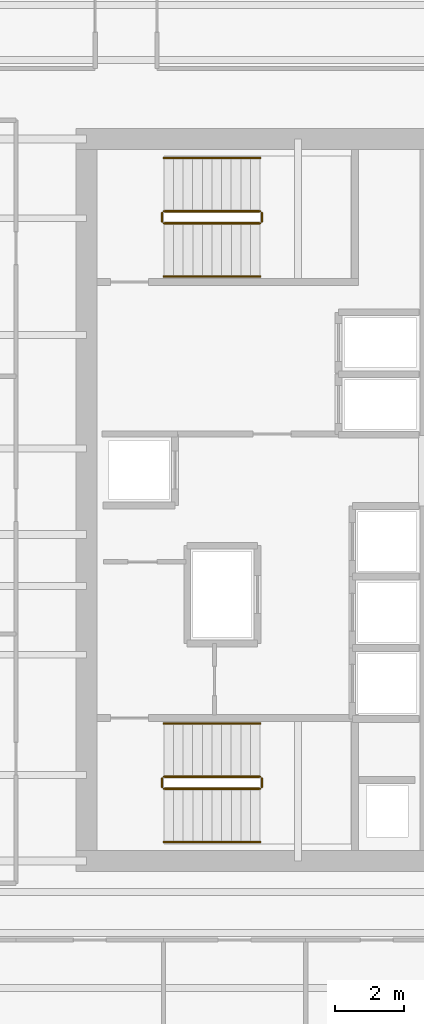
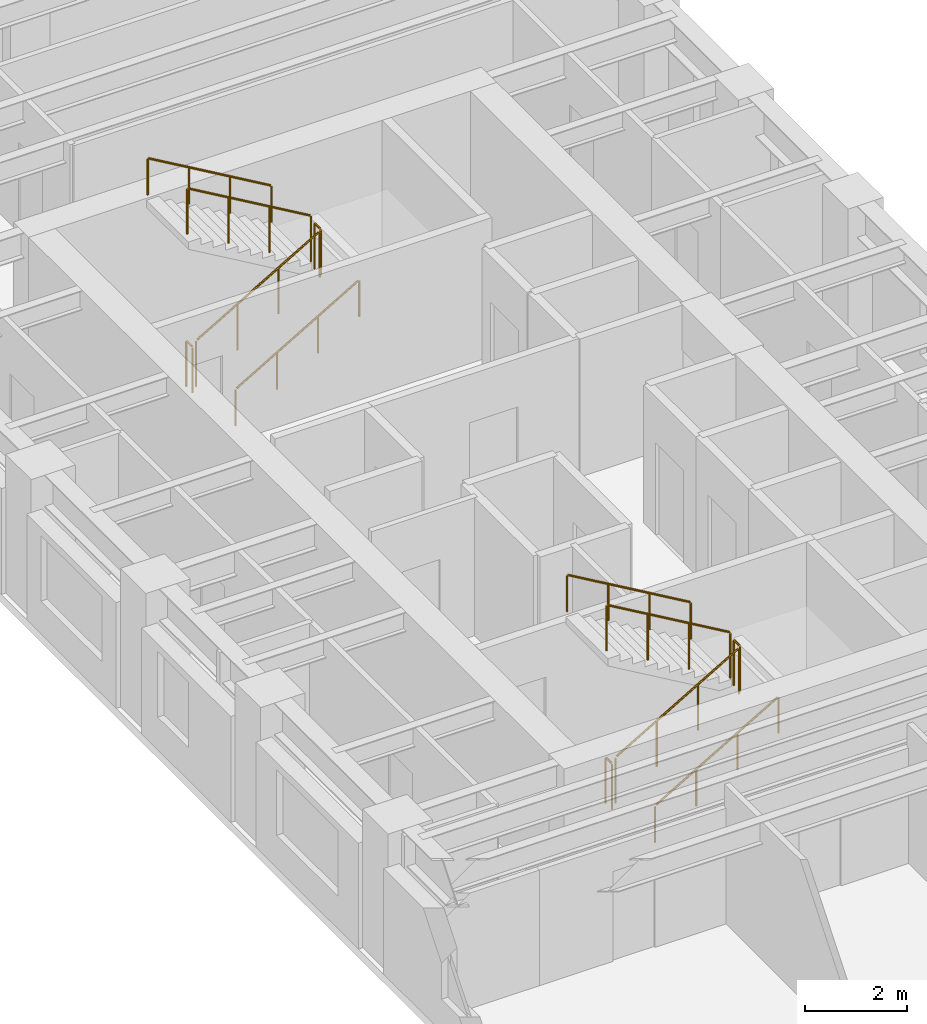
# One storey, part 11 of 12: 12 railings.
"""IFC4 building model written with IfcOpenShell, lengths in metres."""

from ifc_helpers import new_model, si_unit, direction, frame, origin, origin_2d, place, context, subcontext, project, spatial, circle, extrude, source, transform, mapped, material, layer, layer_set, type_object, element, save


model = new_model("IFC4")

# Units and contexts
model_context = context("Model", 3, precision=1e-05, world=origin(), true_north=direction((0.0, 1.0)))
body_context = subcontext(model_context, "Body", "Model", "MODEL_VIEW")
ifc_project = project(units=[si_unit("LENGTHUNIT", "METRE"), si_unit("AREAUNIT", "SQUARE_METRE"), si_unit("VOLUMEUNIT", "CUBIC_METRE"), si_unit("PLANEANGLEUNIT", "RADIAN"), si_unit("MASSUNIT", "GRAM", prefix="KILO")], contexts=[model_context])

# Site, building, storey
site_placement = place(None, origin())
site = spatial("IfcSite", under=ifc_project, at=site_placement, CompositionType="ELEMENT")
building_placement = place(site_placement, origin())
building = spatial("IfcBuilding", under=site, at=building_placement, Name="Kharzan Plaza Tower", CompositionType="ELEMENT")
storey_placement = place(building_placement, frame((0.0, 0.0, 204.300048828125)))
storey = spatial("IfcBuildingStorey", under=building, at=storey_placement, Name="L55", CompositionType="ELEMENT", Elevation=204.300048828125)

# Railings
ifc_material_1 = material(Name="Painted Galvanized Architectural Steel", Category="steel")
ifc_layer_1 = layer(ifc_material_1, 0.074951171875)
ifc_layer_set_1 = layer_set([ifc_layer_1], Name="Painted Galvanized Architectural Steel")
railing_type_1 = type_object("IfcRailingType", Name="RL-GUARD-1120", PredefinedType="BALUSTRADE", material=ifc_layer_set_1)
shared_shape_1 = source(origin(), body_context, "Body", "SweptSolid", [
    extrude(circle(Radius=0.02392578125, at=origin_2d()), frame((0.0, 0.0263671875, 1.09619140625), z_axis=(0.0, 1.0, 0.0), x_axis=(-1.0, 0.0, 0.0)), (0.0, 0.0, 1.0), 0.197021484375),
    extrude(circle(Radius=0.02099609375, at=origin_2d()), origin(), (0.0, 0.0, 1.0), 1.072021484375),
    extrude(circle(Radius=0.02099609375, at=origin_2d()), frame((0.0, 0.25, 0.0)), (0.0, 0.0, 1.0), 1.072021484375),
])
for number, where, name in (
    (1, (9.60009765625, 10.64990234375, 1.800048828125), "L55 ST-1 stair guard 2"),
    (2, (6.699951171875, 10.64990234375, 0.0), "L55 ST-1 stair guard 4"),
    (3, (9.60009765625, 27.10009765625, 1.800048828125), "L55 ST-2 stair guard 2"),
    (4, (6.699951171875, 27.10009765625, 0.0), "L55 ST-2 stair guard 4"),
):
    element("IfcRailing", number, at=place(storey_placement, frame(where)), inside=storey, type_object=railing_type_1, Name=name, PredefinedType="BALUSTRADE", context=body_context, shape_type="MappedRepresentation", body=[
        mapped(shared_shape_1, transform((0.0, 0.0, 0.0), x_axis=(1.0, 0.0, 0.0), y_axis=(0.0, 1.0, 0.0), z_axis=(0.0, 0.0, 1.0))),
    ])
shared_shape_2 = source(origin(), body_context, "Body", "SweptSolid", [
    extrude(circle(Radius=0.02392578125, at=origin_2d()), frame((0.02294921875, 0.0, 1.109375), z_axis=(0.863360870873, 0.0, 0.504586966384), x_axis=(0.0, 1.0, 0.0)), (0.0, 0.0, 1.0), 3.190185546875),
    extrude(circle(Radius=0.02099609375, at=origin_2d()), origin(), (0.0, 0.0, 1.0), 1.072021484375),
    extrude(circle(Radius=0.02099609375, at=origin_2d()), frame((0.933349609375, 0.0, 0.54541015625)), (0.0, 0.0, 1.0), 1.072021484375),
    extrude(circle(Radius=0.02099609375, at=origin_2d()), frame((1.86669921875, 0.0, 1.091064453125)), (0.0, 0.0, 1.0), 1.072021484375),
    extrude(circle(Radius=0.02099609375, at=origin_2d()), frame((2.800048828125, 0.0, 1.636474609375)), (0.0, 0.0, 1.0), 1.072021484375),
])
for number, where, name in (
    (5, (6.75, 10.60009765625, 0.16357421875), "L55 ST-1 stair guard 1"),
    (6, (6.75, 27.050048828125, 0.16357421875), "L55 ST-2 stair guard 1"),
):
    element("IfcRailing", number, at=place(storey_placement, frame(where)), inside=storey, type_object=railing_type_1, Name=name, PredefinedType="BALUSTRADE", context=body_context, shape_type="MappedRepresentation", body=[
        mapped(shared_shape_2, transform((0.0, 0.0, 0.0), x_axis=(1.0, 0.0, 0.0), y_axis=(0.0, 1.0, 0.0), z_axis=(0.0, 0.0, 1.0))),
    ])
ifc_material_2 = material(Name="Brushed Stainless Steel", Category="steel")
ifc_layer_2 = layer(ifc_material_2, 0.050048828125)
ifc_layer_set_2 = layer_set([ifc_layer_2], Name="Brushed Stainless Steel")
railing_type_2 = type_object("IfcRailingType", Name="RL-STAIR-HR920", PredefinedType="HANDRAIL", material=ifc_layer_set_2)
shared_shape_3 = source(origin(), body_context, "Body", "SweptSolid", [
    extrude(circle(Radius=0.02392578125, at=origin_2d()), frame((0.02294921875, 0.0, 0.88916015625), z_axis=(0.863360870873, 0.0, 0.504586966384), x_axis=(0.0, 1.0, 0.0)), (0.0, 0.0, 1.0), 3.190185546875),
    extrude(circle(Radius=0.02099609375, at=origin_2d()), origin(), (0.0, 0.0, 1.0), 0.851806640625),
    extrude(circle(Radius=0.02099609375, at=origin_2d()), frame((0.933349609375, 0.0, 0.54541015625)), (0.0, 0.0, 1.0), 0.851806640625),
    extrude(circle(Radius=0.02099609375, at=origin_2d()), frame((1.86669921875, 0.0, 1.091064453125)), (0.0, 0.0, 1.0), 0.851806640625),
    extrude(circle(Radius=0.02099609375, at=origin_2d()), frame((2.800048828125, 0.0, 1.636474609375)), (0.0, 0.0, 1.0), 0.851806640625),
])
for number, where, name in (
    (7, (6.75, 9.050048828125, 0.16357421875), "L55 ST-1 stair handrail 1"),
    (8, (6.75, 25.5, 0.16357421875), "L55 ST-2 stair handrail 1"),
):
    element("IfcRailing", number, at=place(storey_placement, frame(where)), inside=storey, type_object=railing_type_2, Name=name, PredefinedType="HANDRAIL", context=body_context, shape_type="MappedRepresentation", body=[
        mapped(shared_shape_3, transform((0.0, 0.0, 0.0), x_axis=(1.0, 0.0, 0.0), y_axis=(0.0, 1.0, 0.0), z_axis=(0.0, 0.0, 1.0))),
    ])
shared_shape_4 = source(origin(), body_context, "Body", "SweptSolid", [
    extrude(circle(Radius=0.02392578125, at=origin_2d()), frame((-0.02294921875, 0.0, 1.109375), z_axis=(-0.863393664356, 0.0, 0.504530851732), x_axis=(0.0, -1.0, 0.0)), (0.0, 0.0, 1.0), 3.190185546875),
    extrude(circle(Radius=0.02099609375, at=origin_2d()), origin(), (0.0, 0.0, 1.0), 1.072021484375),
    extrude(circle(Radius=0.02099609375, at=origin_2d()), frame((-0.933349609375, 0.0, 0.54541015625)), (0.0, 0.0, 1.0), 1.072021484375),
    extrude(circle(Radius=0.02099609375, at=origin_2d()), frame((-1.86669921875, 0.0, 1.0908203125)), (0.0, 0.0, 1.0), 1.072021484375),
    extrude(circle(Radius=0.02099609375, at=origin_2d()), frame((-2.800048828125, 0.0, 1.63623046875)), (0.0, 0.0, 1.0), 1.072021484375),
])
for number, where, name in (
    (9, (9.550048828125, 10.949951171875, 1.963623046875), "L55 ST-1 stair guard 3"),
    (10, (9.550048828125, 27.39990234375, 1.963623046875), "L55 ST-2 stair guard 3"),
):
    element("IfcRailing", number, at=place(storey_placement, frame(where)), inside=storey, type_object=railing_type_1, Name=name, PredefinedType="BALUSTRADE", context=body_context, shape_type="MappedRepresentation", body=[
        mapped(shared_shape_4, transform((0.0, 0.0, 0.0), x_axis=(1.0, 0.0, 0.0), y_axis=(0.0, 1.0, 0.0), z_axis=(0.0, 0.0, 1.0))),
    ])
shared_shape_5 = source(origin(), body_context, "Body", "SweptSolid", [
    extrude(circle(Radius=0.02392578125, at=origin_2d()), frame((-0.02294921875, 0.0, 0.88916015625), z_axis=(-0.863393664356, 0.0, 0.504530851732), x_axis=(0.0, -1.0, 0.0)), (0.0, 0.0, 1.0), 3.190185546875),
    extrude(circle(Radius=0.02099609375, at=origin_2d()), origin(), (0.0, 0.0, 1.0), 0.851806640625),
    extrude(circle(Radius=0.02099609375, at=origin_2d()), frame((-0.933349609375, 0.0, 0.54541015625)), (0.0, 0.0, 1.0), 0.851806640625),
    extrude(circle(Radius=0.02099609375, at=origin_2d()), frame((-1.86669921875, 0.0, 1.0908203125)), (0.0, 0.0, 1.0), 0.851806640625),
    extrude(circle(Radius=0.02099609375, at=origin_2d()), frame((-2.800048828125, 0.0, 1.63623046875)), (0.0, 0.0, 1.0), 0.851806640625),
])
for number, where, name in (
    (11, (9.550048828125, 12.5, 1.963623046875), "L55 ST-1 stair handrail 2"),
    (12, (9.550048828125, 28.949951171875, 1.963623046875), "L55 ST-2 stair handrail 2"),
):
    element("IfcRailing", number, at=place(storey_placement, frame(where)), inside=storey, type_object=railing_type_2, Name=name, PredefinedType="HANDRAIL", context=body_context, shape_type="MappedRepresentation", body=[
        mapped(shared_shape_5, transform((0.0, 0.0, 0.0), x_axis=(1.0, 0.0, 0.0), y_axis=(0.0, 1.0, 0.0), z_axis=(0.0, 0.0, 1.0))),
    ])

save(model, "model.ifc")
